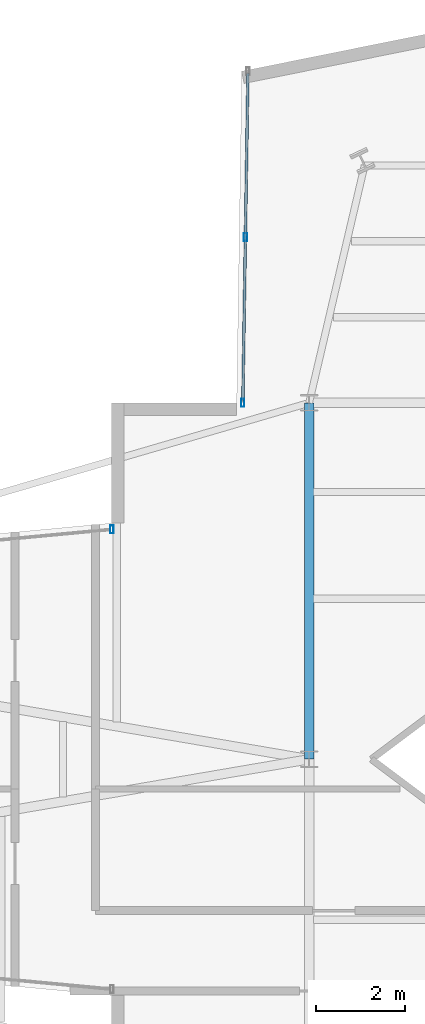
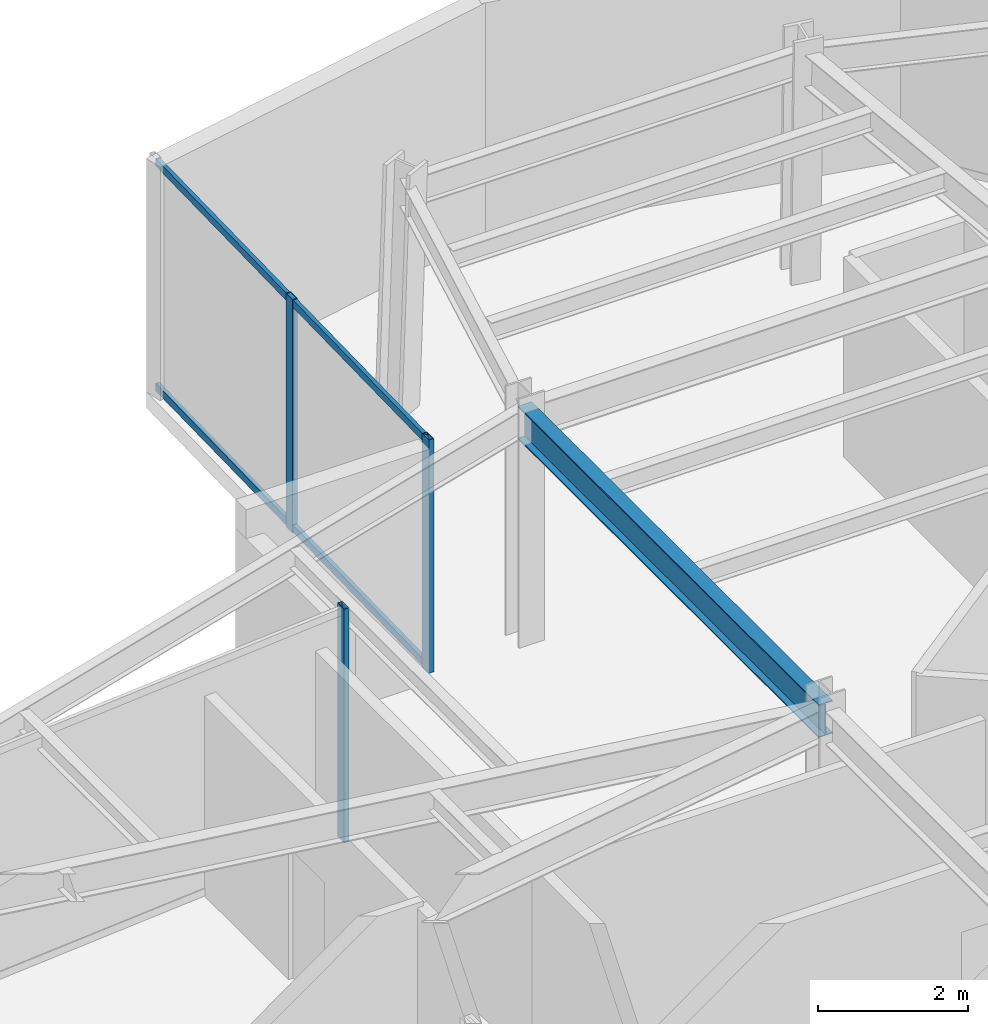
# One storey, part 11 of 23: 5 members, 1 beam, 2 elements without a shape of their own.
"""IFC4 building model written with IfcOpenShell, lengths in metres."""

from ifc_helpers import new_model, si_unit, direction, frame, origin, origin_2d, place, context, subcontext, project, spatial, hollow_rectangle, i_section, extrude, material, layer, layer_set, material_profile, profile_set, type_object, element, aggregate, save


model = new_model("IFC4")

# Units and contexts
model_context = context("Model", 3, precision=1e-05, world=origin(), true_north=direction((0.0, 1.0)))
body_context = subcontext(model_context, "Body", "Model", "MODEL_VIEW")
ifc_project = project(units=[si_unit("LENGTHUNIT", "METRE"), si_unit("AREAUNIT", "SQUARE_METRE"), si_unit("VOLUMEUNIT", "CUBIC_METRE"), si_unit("PLANEANGLEUNIT", "RADIAN"), si_unit("MASSUNIT", "GRAM", prefix="KILO")], contexts=[model_context])

# Site, building, storey
site_placement = place(None, origin())
site = spatial("IfcSite", under=ifc_project, at=site_placement, CompositionType="ELEMENT")
building_placement = place(site_placement, origin())
building = spatial("IfcBuilding", under=site, at=building_placement, Name="Veymaron Broadcast Tower", CompositionType="ELEMENT")
storey_placement = place(building_placement, frame((0.0, 0.0, 224.25)))
storey = spatial("IfcBuildingStorey", under=building, at=storey_placement, Name="L52", CompositionType="ELEMENT", Elevation=224.25)

# Beam
ifc_material_1 = material(Name="Structural steel ASTM A992 Gr 50", Category="steel")
ifc_material_profile_1 = material_profile(ifc_material_1, i_section(OverallWidth=0.2099609375, OverallDepth=0.537109375, WebThickness=0.010986328125, FlangeThickness=0.017333984375, at=origin_2d()), Name="W530X101")
ifc_profile_set_1 = profile_set([ifc_material_profile_1], Name="Structural steel ASTM A992 Gr 50")
beam_type = type_object("IfcBeamType", Name="BM-FG3", PredefinedType="BEAM", material=ifc_profile_set_1)
beam_placement = place(storey_placement, frame((31.199951171875, 24.0, 3.521484375), z_axis=(0.0, 1.0, 0.0), x_axis=(-1.0, 0.0, 0.0)))
element("IfcBeam", 1, at=beam_placement, inside=storey, type_object=beam_type, Name="L52 primary structural floor girder", PredefinedType="BEAM", context=body_context, shape_type="SweptSolid", body=[
    extrude(i_section(OverallWidth=0.2099609375, OverallDepth=0.537109375, WebThickness=0.010986328125, FlangeThickness=0.017333984375, at=origin_2d()), origin(), (0.0, 0.0, 1.0), 8.0),
])

# Curtain wall, members
ifc_material_2 = material(Name="Anodised aluminium AA 6063-T6 and laminated low-E dark glass", Category="aluminium")
ifc_layer = layer(ifc_material_2, 0.179931640625)
ifc_layer_set = layer_set([ifc_layer], Name="Anodised aluminium AA 6063-T6 and laminated low-E dark glass")
curtain_wall_type = type_object("IfcCurtainWallType", Name="CW-SYS-05", PredefinedType="NOTDEFINED", material=ifc_layer_set)
curtain_wall_1_placement = place(storey_placement, origin())
curtain_wall_1 = element("IfcCurtainWall", 2, at=curtain_wall_1_placement, inside=storey, type_object=curtain_wall_type, Name="L52 dark-glass curtain wall CW-L52-E8-1", PredefinedType="NOTDEFINED")
ifc_material_3 = material(Name="Anodised aluminium AA 6063-T6", Category="aluminium")
ifc_material_profile_2 = material_profile(ifc_material_3, hollow_rectangle(XDim=0.074951171875, YDim=0.179931640625, WallThickness=0.0048828125, at=origin_2d()), Name="AL180X75X5")
ifc_profile_set_2 = profile_set([ifc_material_profile_2], Name="Anodised aluminium AA 6063-T6")
member_type_1 = type_object("IfcMemberType", Name="CW-MUL-02", PredefinedType="MULLION", material=ifc_profile_set_2)
member_1_placement = place(storey_placement, frame((29.77001953125, 35.72021484375, 0.0), z_axis=(0.0, 0.0, 1.0), x_axis=(1.0, 0.0, 0.0)))
member_1 = element("IfcMember", 3, at=member_1_placement, type_object=member_type_1, Name="CW-L52-E8-1 mullion 1", PredefinedType="MULLION", context=body_context, shape_type="SweptSolid", body=[
    extrude(hollow_rectangle(XDim=0.074951171875, YDim=0.179931640625, WallThickness=0.0048828125, at=origin_2d()), origin(), (0.0, 0.0, 1.0), 3.7900390625),
])
member_2_placement = place(storey_placement, frame((29.71240234375, 31.997802734375, 0.0), z_axis=(0.0, 0.0, 1.0), x_axis=(1.0, 0.0, 0.0)))
member_2 = element("IfcMember", 4, at=member_2_placement, type_object=member_type_1, Name="CW-L52-E8-1 mullion 2", PredefinedType="MULLION", context=body_context, shape_type="SweptSolid", body=[
    extrude(hollow_rectangle(XDim=0.074951171875, YDim=0.179931640625, WallThickness=0.0048828125, at=origin_2d()), origin(), (0.0, 0.0, 1.0), 3.7900390625),
])

# Curtain wall, member
curtain_wall_2_placement = place(storey_placement, origin())
curtain_wall_2 = element("IfcCurtainWall", 5, at=curtain_wall_2_placement, inside=storey, type_object=curtain_wall_type, Name="L52 dark-glass curtain wall CW-L52-E11-1", PredefinedType="NOTDEFINED")
member_3_placement = place(storey_placement, frame((26.773193359375, 29.160888671875, 0.0), z_axis=(0.0, 0.0, 1.0), x_axis=(1.0, 0.0, 0.0)))
member_3 = element("IfcMember", 6, at=member_3_placement, type_object=member_type_1, Name="CW-L52-E11-1 mullion 0", PredefinedType="MULLION", context=body_context, shape_type="SweptSolid", body=[
    extrude(hollow_rectangle(XDim=0.074951171875, YDim=0.179931640625, WallThickness=0.0048828125, at=origin_2d()), origin(), (0.0, 0.0, 1.0), 3.7900390625),
])
aggregate(curtain_wall_2, [member_3])

# Member
ifc_material_profile_3 = material_profile(ifc_material_3, hollow_rectangle(XDim=0.06005859375, YDim=0.1201171875, WallThickness=0.00390625, at=origin_2d()), Name="AL120X60X4")
ifc_profile_set_3 = profile_set([ifc_material_profile_3], Name="Anodised aluminium AA 6063-T6")
member_type_2 = type_object("IfcMemberType", Name="CW-TRN-02", PredefinedType="USERDEFINED", material=ifc_profile_set_3)
member_4_placement = place(storey_placement, frame((29.826904296875, 39.392822265625, 0.070068359375), z_axis=(-0.015487588765, -0.999880060104, 0.0), x_axis=(0.999880060104, -0.015487588765, 0.0)))
member_4 = element("IfcMember", 7, at=member_4_placement, type_object=member_type_2, Name="CW-L52-E8-1 transom B", ObjectType="TRANSOM", PredefinedType="USERDEFINED", context=body_context, shape_type="SweptSolid", body=[
    extrude(hollow_rectangle(XDim=0.06005859375, YDim=0.1201171875, WallThickness=0.00390625, at=origin_2d()), origin(), (0.0, 0.0, 1.0), 7.345947265625),
])

member_5_placement = place(storey_placement, frame((29.826904296875, 39.392822265625, 3.719970703125), z_axis=(-0.015487588765, -0.999880060104, 0.0), x_axis=(0.999880060104, -0.015487588765, 0.0)))
member_5 = element("IfcMember", 8, at=member_5_placement, type_object=member_type_2, Name="CW-L52-E8-1 transom T", ObjectType="TRANSOM", PredefinedType="USERDEFINED", context=body_context, shape_type="SweptSolid", body=[
    extrude(hollow_rectangle(XDim=0.06005859375, YDim=0.1201171875, WallThickness=0.00390625, at=origin_2d()), origin(), (0.0, 0.0, 1.0), 7.345947265625),
])

aggregate(curtain_wall_1, [member_1, member_2, member_4, member_5])

save(model, "model.ifc")
